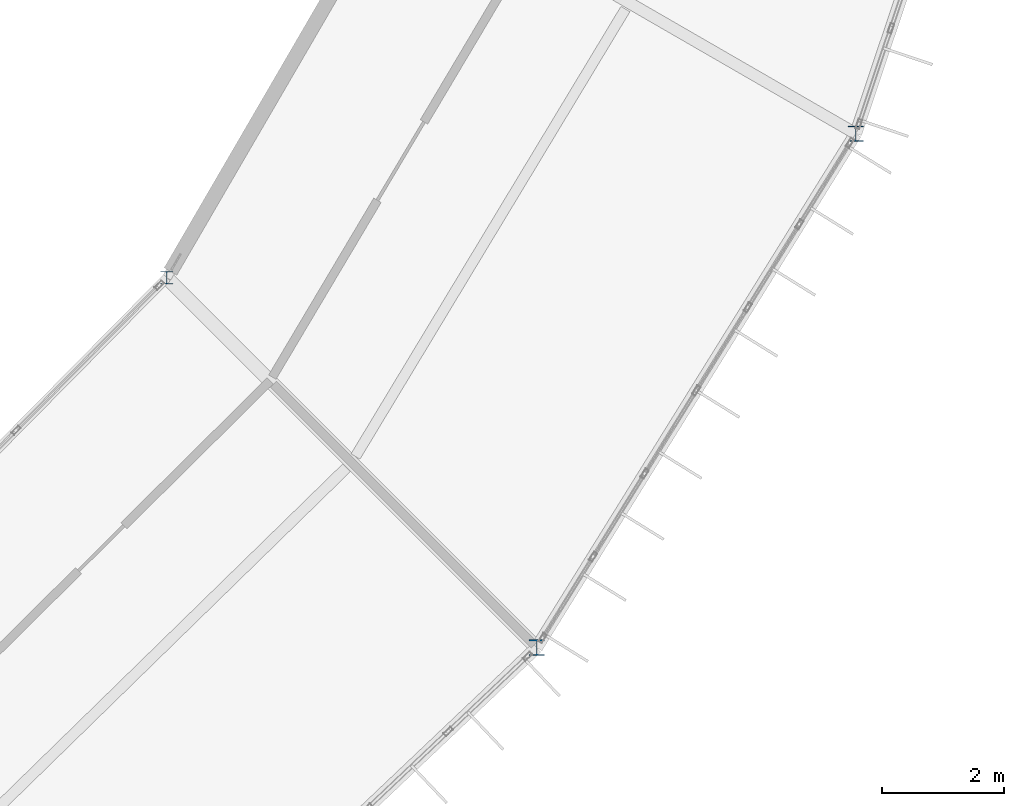
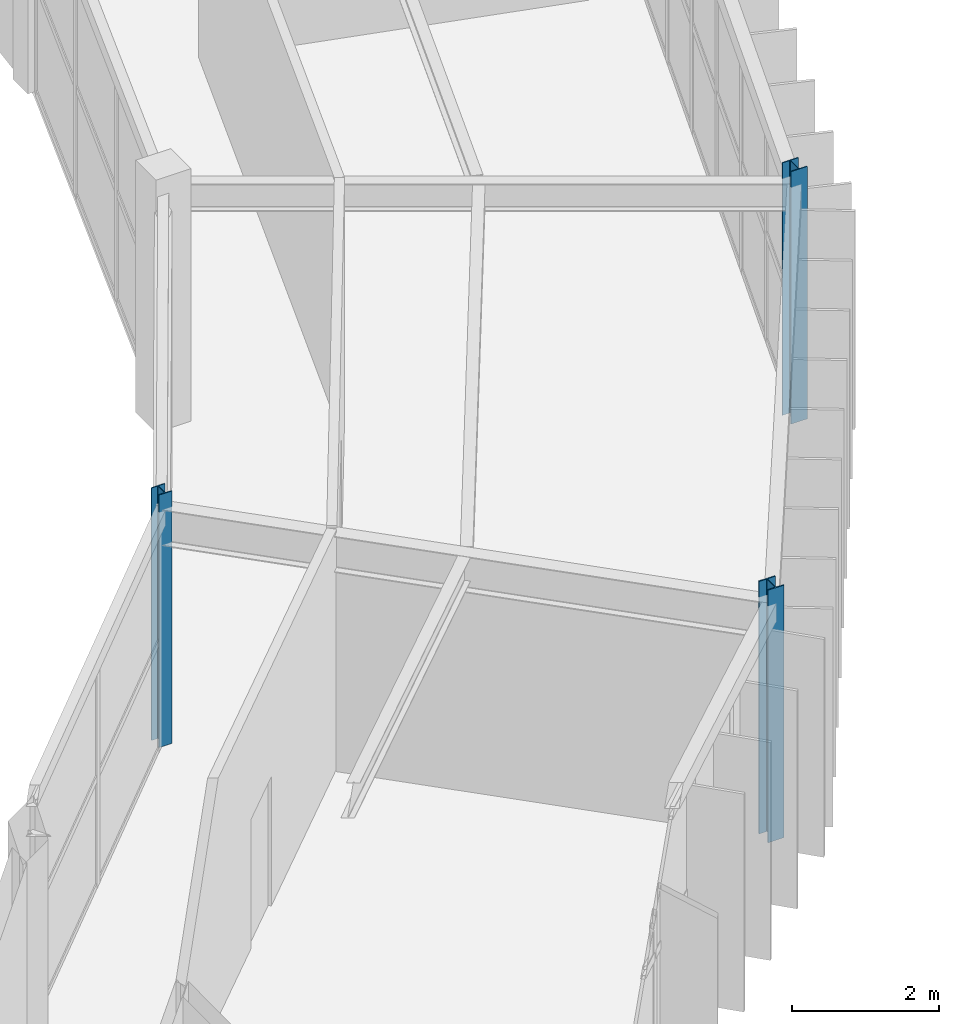
# One storey, part 7 of 134: 3 columns.
"""IFC4 building model written with IfcOpenShell, lengths in metres."""

from ifc_helpers import new_model, si_unit, direction, frame, origin, origin_2d, place, context, subcontext, project, spatial, i_section, extrude, material, material_profile, profile_set, type_object, element, save


model = new_model("IFC4")

# Units and contexts
model_context = context("Model", 3, precision=1e-05, world=origin(), true_north=direction((0.0, 1.0)))
body_context = subcontext(model_context, "Body", "Model", "MODEL_VIEW")
ifc_project = project(units=[si_unit("LENGTHUNIT", "METRE"), si_unit("AREAUNIT", "SQUARE_METRE"), si_unit("VOLUMEUNIT", "CUBIC_METRE"), si_unit("PLANEANGLEUNIT", "RADIAN"), si_unit("MASSUNIT", "GRAM", prefix="KILO")], contexts=[model_context])

# Site, building, storey
site_placement = place(None, origin())
site = spatial("IfcSite", under=ifc_project, at=site_placement, CompositionType="ELEMENT")
building_placement = place(site_placement, origin())
building = spatial("IfcBuilding", under=site, at=building_placement, Name="Karori Crest Natural Sciences Institute", CompositionType="ELEMENT")
storey_placement = place(building_placement, frame((0.0, 0.0, 21.699951171875)))
storey = spatial("IfcBuildingStorey", under=building, at=storey_placement, Name="L05", CompositionType="ELEMENT", Elevation=21.699951171875)

# Columns
ifc_material = material(Name="Structural steel AS/NZS 3679.1 Grade 350", Category="steel")
ifc_material_profile_1 = material_profile(ifc_material, i_section(OverallWidth=0.256103515625, OverallDepth=0.260009765625, WebThickness=0.010498046875, FlangeThickness=0.017333984375, FilletRadius=0.013916015625, at=origin_2d()), Name="250UC89.5")
ifc_profile_set_1 = profile_set([ifc_material_profile_1], Name="Structural steel AS/NZS 3679.1 Grade 350")
column_type_1 = type_object("IfcColumnType", Name="CT-06", PredefinedType="COLUMN", material=ifc_profile_set_1)
column_1_placement = place(storey_placement, frame((89.734619140625, 21.050048828125, 0.0), z_axis=(0.0, 0.0, 1.0), x_axis=(1.0, 0.0, 0.0)))
element("IfcColumn", 1, at=column_1_placement, inside=storey, type_object=column_type_1, Name="Column C-0357", PredefinedType="COLUMN", context=body_context, shape_type="SweptSolid", body=[
    extrude(i_section(OverallWidth=0.256103515625, OverallDepth=0.260009765625, WebThickness=0.010498046875, FlangeThickness=0.017333984375, FilletRadius=0.013916015625, at=origin_2d()), origin(), (0.0, 0.0, 1.0), 4.199951171875),
])
ifc_material_profile_2 = material_profile(ifc_material, i_section(OverallWidth=0.25390625, OverallDepth=0.25390625, WebThickness=0.008544921875, FlangeThickness=0.01416015625, FilletRadius=0.013916015625, at=origin_2d()), Name="250UC72.9")
ifc_profile_set_2 = profile_set([ifc_material_profile_2], Name="Structural steel AS/NZS 3679.1 Grade 350")
column_type_2 = type_object("IfcColumnType", Name="CT-07", PredefinedType="COLUMN", material=ifc_profile_set_2)
column_2_placement = place(storey_placement, frame((94.978759765625, 29.5, 0.0), z_axis=(0.0, 0.0, 1.0), x_axis=(1.0, 0.0, 0.0)))
element("IfcColumn", 2, at=column_2_placement, inside=storey, type_object=column_type_2, Name="Column C-0373", PredefinedType="COLUMN", context=body_context, shape_type="SweptSolid", body=[
    extrude(i_section(OverallWidth=0.25390625, OverallDepth=0.25390625, WebThickness=0.008544921875, FlangeThickness=0.01416015625, FilletRadius=0.013916015625, at=origin_2d()), origin(), (0.0, 0.0, 1.0), 4.199951171875),
])
ifc_material_profile_3 = material_profile(ifc_material, i_section(OverallWidth=0.205078125, OverallDepth=0.2099609375, WebThickness=0.00927734375, FlangeThickness=0.01416015625, FilletRadius=0.010986328125, at=origin_2d()), Name="200UC59.5")
ifc_profile_set_3 = profile_set([ifc_material_profile_3], Name="Structural steel AS/NZS 3679.1 Grade 350")
column_type_3 = type_object("IfcColumnType", Name="CT-08", PredefinedType="COLUMN", material=ifc_profile_set_3)
column_3_placement = place(storey_placement, frame((83.6533203125, 27.131103515625, 0.0), z_axis=(0.0, 0.0, 1.0), x_axis=(1.0, 0.0, 0.0)))
element("IfcColumn", 3, at=column_3_placement, inside=storey, type_object=column_type_3, Name="Column C-0358", PredefinedType="COLUMN", context=body_context, shape_type="SweptSolid", body=[
    extrude(i_section(OverallWidth=0.205078125, OverallDepth=0.2099609375, WebThickness=0.00927734375, FlangeThickness=0.01416015625, FilletRadius=0.010986328125, at=origin_2d()), origin(), (0.0, 0.0, 1.0), 4.199951171875),
])

save(model, "model.ifc")
